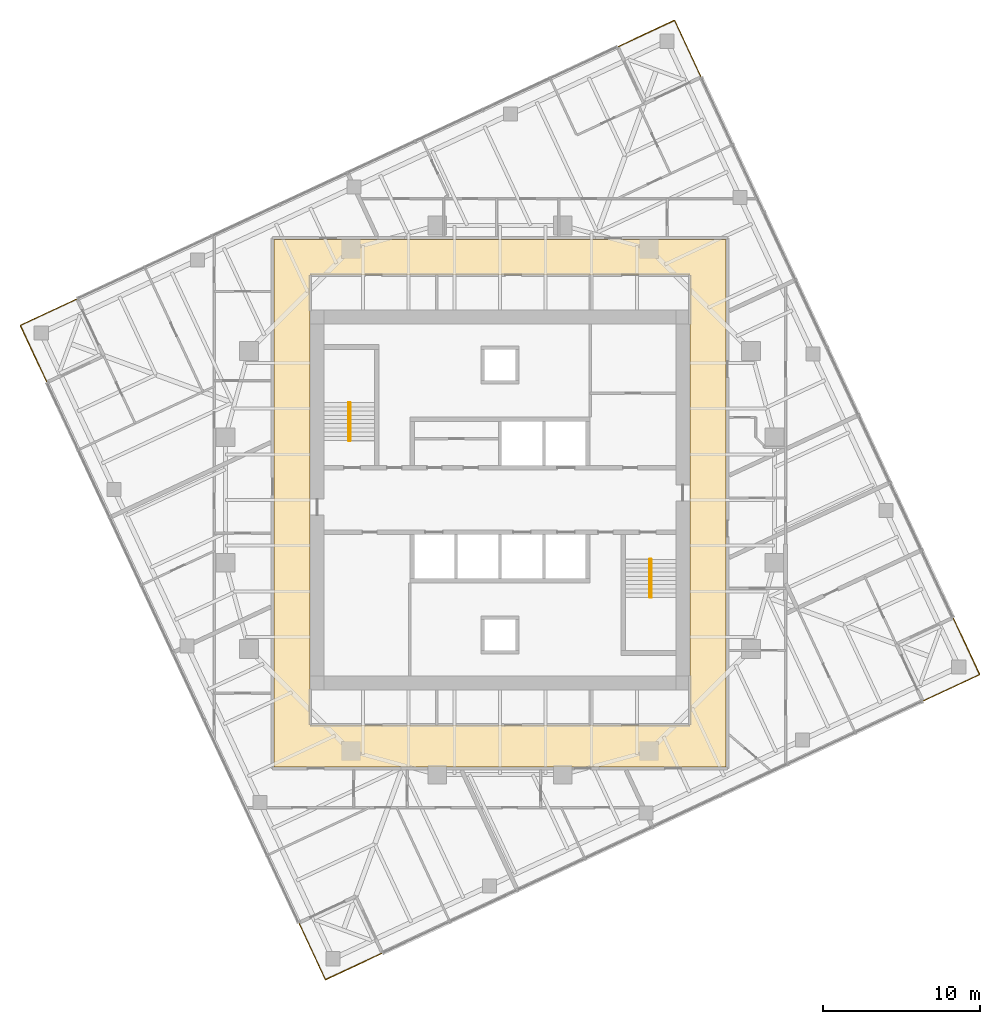
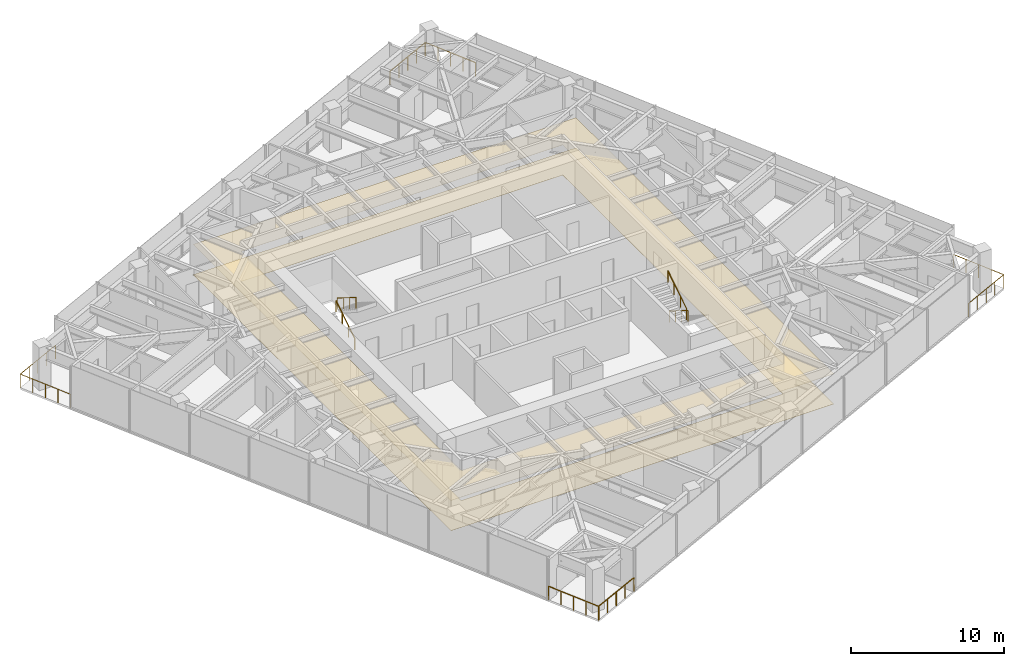
# One storey, part 13 of 13: 8 railings, 2 coverings, 2 elements without a shape of their own.
"""IFC4 building model written with IfcOpenShell, lengths in metres."""

import ifcopenshell
import ifcopenshell.guid

model = None  # the IFC model being written
_history = None  # IfcOwnerHistory: only IFC2X3 demands one
_inside = {}  # id of a spatial element -> (the spatial element, [elements in it])
_under = {}  # id of a project, library or spatial element -> (it, [spatial elements below it])
_declared = {}  # id of a project -> (the project, [libraries it declares])
_typed = {}  # id of a type object -> (the type object, [elements of that type])
_made_of = {}  # id of a material, layer set ... -> (it, [elements and type objects made of it])


def new_model(schema):
    """Start an empty IFC model of exactly this schema.

    Asked for "IFC4X3", IfcOpenShell would pick the latest addendum, in which some entities
    have other attributes; the version numbers below select the first issue.
    IFC2X3 requires an IfcOwnerHistory on every rooted entity: one is made here for all.
    """
    global model, _history
    if schema == "IFC4X3":
        model = ifcopenshell.file(schema_version=(4, 3, 0, 0))
    else:
        model = ifcopenshell.file(schema=schema)
    _inside.clear()
    _under.clear()
    _declared.clear()
    _typed.clear()
    _made_of.clear()
    _history = None
    if model.schema == "IFC2X3":
        org = make("IfcOrganization", Name="unknown")
        user = make(
            "IfcPersonAndOrganization",
            ThePerson=make("IfcPerson", FamilyName="unknown"),
            TheOrganization=org,
        )
        app = make(
            "IfcApplication",
            ApplicationDeveloper=org,
            Version="unknown",
            ApplicationFullName="unknown",
            ApplicationIdentifier="unknown",
        )
        _history = make(
            "IfcOwnerHistory",
            OwningUser=user,
            OwningApplication=app,
            ChangeAction="ADDED",
            CreationDate=0,
        )
    return model


def make(cls, **values):
    """One entity of the class cls with the attributes given. An attribute that is None is left unset."""
    return model.create_entity(
        cls, **{name: value for name, value in values.items() if value is not None}
    )


def rooted(cls, **values):
    """An entity with a GlobalId (a new one), such as an element, a storey or a relation."""
    return make(cls, GlobalId=ifcopenshell.guid.new(), OwnerHistory=_history, **values)


def si_unit(unit_type, name, prefix=None):
    """IfcSIUnit, for example si_unit("LENGTHUNIT", "METRE", prefix="MILLI")."""
    return make("IfcSIUnit", UnitType=unit_type, Prefix=prefix, Name=name)


def assignment(units):
    """IfcUnitAssignment: the units of a project."""
    return None if units is None else make("IfcUnitAssignment", Units=units)


def point(xyz):
    """IfcCartesianPoint."""
    return None if xyz is None else make("IfcCartesianPoint", Coordinates=xyz)


def direction(xyz):
    """IfcDirection."""
    return None if xyz is None else make("IfcDirection", DirectionRatios=xyz)


def frame(location, z_axis=None, x_axis=None):
    """IfcAxis2Placement3D, a coordinate frame: its origin and axes. An axis left out is left unset."""
    return make(
        "IfcAxis2Placement3D",
        Location=point(location),
        Axis=direction(z_axis),
        RefDirection=direction(x_axis),
    )


def frame_2d(location, x_axis=None):
    """IfcAxis2Placement2D, a coordinate frame in the plane: its origin and x axis."""
    return make(
        "IfcAxis2Placement2D", Location=point(location), RefDirection=direction(x_axis)
    )


def origin():
    """The frame at (0, 0, 0) with its axes left unset."""
    return frame((0.0, 0.0, 0.0))


def origin_2d():
    """The frame at (0, 0) in the plane with its x axis left unset."""
    return frame_2d((0.0, 0.0))


def place(relative_to, where):
    """IfcLocalPlacement: puts the frame where relative to a parent placement (None: the world)."""
    return make(
        "IfcLocalPlacement", PlacementRelTo=relative_to, RelativePlacement=where
    )


def context(
    kind, dimensions, precision=None, world=None, true_north=None, identifier=None
):
    """IfcGeometricRepresentationContext, for example the 3D "Model" context."""
    return make(
        "IfcGeometricRepresentationContext",
        ContextIdentifier=identifier,
        ContextType=kind,
        CoordinateSpaceDimension=dimensions,
        Precision=precision,
        WorldCoordinateSystem=world,
        TrueNorth=true_north,
    )


def subcontext(parent, identifier, kind, view, scale=None):
    """IfcGeometricRepresentationSubContext, for example "Body" below "Model"."""
    return make(
        "IfcGeometricRepresentationSubContext",
        ContextIdentifier=identifier,
        ContextType=kind,
        ParentContext=parent,
        TargetScale=scale,
        TargetView=view,
    )


def project(units=None, contexts=None):
    """IfcProject with its units and contexts."""
    return rooted(
        "IfcProject",
        Name="project",
        RepresentationContexts=contexts,
        UnitsInContext=assignment(units),
    )


def spatial(cls, under=None, at=None, **own):
    """A site, building, storey or space (cls), placed at a placement, below another one or the project."""
    s = rooted(cls, ObjectPlacement=at, **own)
    if under is not None:
        _under.setdefault(under.id(), (under, []))[1].append(s)
    return s


def polyline(points):
    """IfcPolyline through the points."""
    return make("IfcPolyline", Points=[point(p) for p in points])


def profile(cls, at=None, kind="AREA", **sizes):
    """A parametric profile (cls). Its sizes go by their IFC names, for example OverallWidth=200.0."""
    return make(cls, ProfileType=kind, Position=at, **sizes)


def circle(**sizes):
    """IfcCircleProfileDef."""
    return profile("IfcCircleProfileDef", **sizes)


def outline(outer, holes=None, kind="AREA"):
    """IfcArbitraryClosedProfileDef: a profile drawn as a closed curve; with holes, ...WithVoids."""
    if holes is None:
        return make("IfcArbitraryClosedProfileDef", ProfileType=kind, OuterCurve=outer)
    return make(
        "IfcArbitraryProfileDefWithVoids",
        ProfileType=kind,
        OuterCurve=outer,
        InnerCurves=holes,
    )


def extrude(swept, where, along, depth):
    """IfcExtrudedAreaSolid: the profile swept, set in the frame where, extruded along a direction by depth."""
    return make(
        "IfcExtrudedAreaSolid",
        SweptArea=swept,
        Position=where,
        ExtrudedDirection=direction(along),
        Depth=depth,
    )


def shape(context_of_items, identifier, shape_type, items):
    """IfcShapeRepresentation: the items that make up one representation, for example the "Body"."""
    return make(
        "IfcShapeRepresentation",
        ContextOfItems=context_of_items,
        RepresentationIdentifier=identifier,
        RepresentationType=shape_type,
        Items=items,
    )


def material(Name=None, Category=None):
    """IfcMaterial."""
    return make("IfcMaterial", Name=Name, Category=Category)


def layer(
    of_material, thickness, ventilated=None, Name=None, Category=None, Priority=None
):
    """IfcMaterialLayer: one layer of a wall or slab, of a material (None: an air gap)."""
    return make(
        "IfcMaterialLayer",
        Material=of_material,
        LayerThickness=thickness,
        IsVentilated=ventilated,
        Name=Name,
        Category=Category,
        Priority=Priority,
    )


def layer_set(layers, Name=None):
    """IfcMaterialLayerSet."""
    return make("IfcMaterialLayerSet", MaterialLayers=layers, LayerSetName=Name)


def made_of(thing, what):
    """Note that an element or type object is made of a material, layer set ...; save() writes the relation."""
    if what is not None:
        _made_of.setdefault(what.id(), (what, []))[1].append(thing)
    return thing


def type_object(cls, material=None, **own):
    """A type object (cls), such as IfcWallType, which elements share."""
    return made_of(rooted(cls, **own), material)


def element(
    cls,
    number,
    at=None,
    inside=None,
    cuts=None,
    type_object=None,
    material=None,
    context=None,
    identifier="Body",
    shape_type=None,
    held_by="IfcProductDefinitionShape",
    body=None,
    shapes=None,
    **own,
):
    """One element of the class cls, such as IfcWall. Its Tag is "e" and its number.

    at: its placement. inside: the storey or other place that contains it. cuts: it is an
    opening in that element (IfcRelVoidsElement). A single representation is given by context,
    identifier, shape_type and body (its items); several are given by shapes. held_by: the class
    of the entity that holds the representations. save() writes the other relations.
    """
    e = rooted(cls, Tag="e%d" % number, ObjectPlacement=at, **own)
    if body is not None:
        shapes = [shape(context, identifier, shape_type, body)]
    if shapes is not None:
        e.Representation = make(held_by, Representations=shapes)
    if inside is not None:
        _inside.setdefault(inside.id(), (inside, []))[1].append(e)
    if cuts is not None:
        rooted(
            "IfcRelVoidsElement", RelatingBuildingElement=cuts, RelatedOpeningElement=e
        )
    if type_object is not None:
        _typed.setdefault(type_object.id(), (type_object, []))[1].append(e)
    return made_of(e, material)


def aggregate(whole, parts):
    """IfcRelAggregates: a whole, such as a stair, and the parts it consists of."""
    return rooted("IfcRelAggregates", RelatingObject=whole, RelatedObjects=parts)


def save(model, path):
    """Write the relations noted so far, then the file.

    IfcRelAggregates (storeys below a building ...), IfcRelContainedInSpatialStructure (elements
    in a storey), IfcRelDefinesByType, IfcRelAssociatesMaterial and IfcRelDeclares: one each for
    every whole, place, type object, material and project.
    """
    for whole, parts in _under.values():
        aggregate(whole, parts)
    for where, things in _inside.values():
        rooted(
            "IfcRelContainedInSpatialStructure",
            RelatedElements=things,
            RelatingStructure=where,
        )
    for kind, things in _typed.values():
        rooted("IfcRelDefinesByType", RelatedObjects=things, RelatingType=kind)
    for what, things in _made_of.values():
        rooted("IfcRelAssociatesMaterial", RelatedObjects=things, RelatingMaterial=what)
    for by, libraries in _declared.values():
        rooted("IfcRelDeclares", RelatingContext=by, RelatedDefinitions=libraries)
    model.write(path)


model = new_model("IFC4")

# Units and contexts
model_context = context("Model", 3, precision=1e-05, world=origin(), true_north=direction((0.0, 1.0)))
body_context = subcontext(model_context, "Body", "Model", "MODEL_VIEW")
ifc_project = project(units=[si_unit("LENGTHUNIT", "METRE"), si_unit("AREAUNIT", "SQUARE_METRE"), si_unit("VOLUMEUNIT", "CUBIC_METRE"), si_unit("PLANEANGLEUNIT", "RADIAN"), si_unit("MASSUNIT", "GRAM", prefix="KILO")], contexts=[model_context])

# Site, building, storey
site_placement = place(None, origin())
site = spatial("IfcSite", under=ifc_project, at=site_placement, CompositionType="ELEMENT")
building_placement = place(site_placement, origin())
building = spatial("IfcBuilding", under=site, at=building_placement, Name="Torsade Residences", CompositionType="ELEMENT")
storey_placement = place(building_placement, frame((0.0, 0.0, 196.39990234375)))
storey = spatial("IfcBuildingStorey", under=building, at=storey_placement, Name="L54", CompositionType="ELEMENT", Elevation=196.39990234375)

# Coverings
ifc_material_1 = material(Name="Nylon carpet tile on underlay", Category="textile")
ifc_layer_1 = layer(ifc_material_1, 0.010009765625)
ifc_layer_set_1 = layer_set([ifc_layer_1], Name="Nylon carpet tile on underlay")
covering_type_1 = type_object("IfcCoveringType", Name="CORRIDOR CARPET TILE 10", PredefinedType="FLOORING", material=ifc_layer_set_1)
covering_1_placement = place(storey_placement, origin())
element("IfcCovering", 1, at=covering_1_placement, inside=storey, type_object=covering_type_1, Name="Corridor carpet L54", PredefinedType="FLOORING", context=body_context, shape_type="SweptSolid", body=[
    extrude(outline(polyline([(25.60009765625, 46.60009765625), (25.60009765625, 13.0), (54.39990234375, 13.0), (54.39990234375, 46.60009765625), (25.60009765625, 46.60009765625)]), holes=[polyline([(52.10009765625, 44.35009765625), (27.89990234375, 44.35009765625), (27.89990234375, 15.64990234375), (52.10009765625, 15.64990234375), (52.10009765625, 44.35009765625)])]), origin(), (0.0, 0.0, 1.0), 0.010009765625),
])
ifc_material_2 = material(Name="Plasterboard on suspended steel grid", Category="steel")
ifc_layer_2 = layer(ifc_material_2, 0.012939453125)
ifc_layer_set_2 = layer_set([ifc_layer_2], Name="Plasterboard on suspended steel grid")
covering_type_2 = type_object("IfcCoveringType", Name="CORRIDOR SUSPENDED CEILING 13", PredefinedType="CEILING", material=ifc_layer_set_2)
covering_2_placement = place(storey_placement, frame((0.0, 0.0, 2.400146484375)))
element("IfcCovering", 2, at=covering_2_placement, inside=storey, type_object=covering_type_2, Name="Corridor ceiling L54", PredefinedType="CEILING", context=body_context, shape_type="SweptSolid", body=[
    extrude(outline(polyline([(25.60009765625, 46.60009765625), (25.60009765625, 13.0), (54.39990234375, 13.0), (54.39990234375, 46.60009765625), (25.60009765625, 46.60009765625)]), holes=[polyline([(52.10009765625, 44.35009765625), (27.89990234375, 44.35009765625), (27.89990234375, 15.64990234375), (52.10009765625, 15.64990234375), (52.10009765625, 44.35009765625)])]), origin(), (0.0, 0.0, 1.0), 0.012939453125),
])

# Stair, railings
ifc_material_3 = material(Name="Precast concrete 40 MPa", Category="concrete")
stair_type = type_object("IfcStairType", Name="HALF-TURN FIRE STAIR 1500x3400", PredefinedType="HALF_TURN_STAIR", material=ifc_material_3)
stair_1_placement = place(storey_placement, origin())
stair_1 = element("IfcStair", 3, at=stair_1_placement, inside=storey, type_object=stair_type, Name="Stair ST1 L54", PredefinedType="HALF_TURN_STAIR")
ifc_material_4 = material(Name="Steel handrail", Category="steel")
railing_type_1 = type_object("IfcRailingType", Name="STAIR HANDRAIL 900", PredefinedType="HANDRAIL", material=ifc_material_4)
railing_1_placement = place(storey_placement, frame((30.35009765625, 33.780029296875, 0.170166015625)))
railing_1 = element("IfcRailing", 4, at=railing_1_placement, type_object=railing_type_1, Name="Handrail ST1 flight 1 L54", PredefinedType="HANDRAIL", context=body_context, shape_type="SweptSolid", body=[
    extrude(circle(Radius=0.02392578125, at=origin_2d()), frame((0.0, 0.0, 0.8759765625), z_axis=(0.0, 0.846221481393, 0.532831309544), x_axis=(-1.0, 0.0, 0.0)), (0.0, 0.0, 1.0), 2.87158203125),
    extrude(circle(Radius=0.02099609375, at=origin_2d()), origin(), (0.0, 0.0, 1.0), 0.851806640625),
    extrude(circle(Radius=0.02099609375, at=origin_2d()), frame((0.0, 0.81005859375, 0.510009765625)), (0.0, 0.0, 1.0), 0.851806640625),
    extrude(circle(Radius=0.02099609375, at=origin_2d()), frame((0.0, 1.619873046875, 1.02001953125)), (0.0, 0.0, 1.0), 0.851806640625),
    extrude(circle(Radius=0.02099609375, at=origin_2d()), frame((0.0, 2.429931640625, 1.530029296875)), (0.0, 0.0, 1.0), 0.851806640625),
])
railing_2_placement = place(storey_placement, frame((30.449951171875, 36.2099609375, 1.8701171875)))
railing_2 = element("IfcRailing", 5, at=railing_2_placement, type_object=railing_type_1, Name="Handrail ST1 flight 2 L54", PredefinedType="HANDRAIL", context=body_context, shape_type="SweptSolid", body=[
    extrude(circle(Radius=0.02392578125, at=origin_2d()), frame((0.0, 0.0, 0.8759765625), z_axis=(0.0, -0.846221481393, 0.532831309544), x_axis=(1.0, 0.0, 0.0)), (0.0, 0.0, 1.0), 2.87158203125),
    extrude(circle(Radius=0.02099609375, at=origin_2d()), origin(), (0.0, 0.0, 1.0), 0.851806640625),
    extrude(circle(Radius=0.02099609375, at=origin_2d()), frame((0.0, -0.81005859375, 0.510009765625)), (0.0, 0.0, 1.0), 0.851806640625),
    extrude(circle(Radius=0.02099609375, at=origin_2d()), frame((0.0, -1.619873046875, 1.02001953125)), (0.0, 0.0, 1.0), 0.851806640625),
    extrude(circle(Radius=0.02099609375, at=origin_2d()), frame((0.0, -2.429931640625, 1.530029296875)), (0.0, 0.0, 1.0), 0.851806640625),
])
aggregate(stair_1, [railing_1, railing_2])

stair_2_placement = place(storey_placement, origin())
stair_2 = element("IfcStair", 6, at=stair_2_placement, inside=storey, type_object=stair_type, Name="Stair ST2 L54", PredefinedType="HALF_TURN_STAIR")
railing_3_placement = place(storey_placement, frame((49.64990234375, 26.219970703125, 0.170166015625)))
railing_3 = element("IfcRailing", 7, at=railing_3_placement, type_object=railing_type_1, Name="Handrail ST2 flight 1 L54", PredefinedType="HANDRAIL", context=body_context, shape_type="SweptSolid", body=[
    extrude(circle(Radius=0.02392578125, at=origin_2d()), frame((0.0, 0.0, 0.8759765625), z_axis=(0.0, -0.846221481393, 0.532831309544), x_axis=(1.0, 0.0, 0.0)), (0.0, 0.0, 1.0), 2.87158203125),
    extrude(circle(Radius=0.02099609375, at=origin_2d()), origin(), (0.0, 0.0, 1.0), 0.851806640625),
    extrude(circle(Radius=0.02099609375, at=origin_2d()), frame((0.0, -0.81005859375, 0.510009765625)), (0.0, 0.0, 1.0), 0.851806640625),
    extrude(circle(Radius=0.02099609375, at=origin_2d()), frame((0.0, -1.619873046875, 1.02001953125)), (0.0, 0.0, 1.0), 0.851806640625),
    extrude(circle(Radius=0.02099609375, at=origin_2d()), frame((0.0, -2.429931640625, 1.530029296875)), (0.0, 0.0, 1.0), 0.851806640625),
])
railing_4_placement = place(storey_placement, frame((49.550048828125, 23.7900390625, 1.8701171875)))
railing_4 = element("IfcRailing", 8, at=railing_4_placement, type_object=railing_type_1, Name="Handrail ST2 flight 2 L54", PredefinedType="HANDRAIL", context=body_context, shape_type="SweptSolid", body=[
    extrude(circle(Radius=0.02392578125, at=origin_2d()), frame((0.0, 0.0, 0.8759765625), z_axis=(0.0, 0.846221481393, 0.532831309544), x_axis=(-1.0, 0.0, 0.0)), (0.0, 0.0, 1.0), 2.87158203125),
    extrude(circle(Radius=0.02099609375, at=origin_2d()), origin(), (0.0, 0.0, 1.0), 0.851806640625),
    extrude(circle(Radius=0.02099609375, at=origin_2d()), frame((0.0, 0.81005859375, 0.510009765625)), (0.0, 0.0, 1.0), 0.851806640625),
    extrude(circle(Radius=0.02099609375, at=origin_2d()), frame((0.0, 1.619873046875, 1.02001953125)), (0.0, 0.0, 1.0), 0.851806640625),
    extrude(circle(Radius=0.02099609375, at=origin_2d()), frame((0.0, 2.429931640625, 1.530029296875)), (0.0, 0.0, 1.0), 0.851806640625),
])
aggregate(stair_2, [railing_3, railing_4])

# Railings
ifc_material_5 = material(Name="Laminated glass balustrade", Category="glass")
railing_type_2 = type_object("IfcRailingType", Name="TERRACE GLASS BALUSTRADE 1100", PredefinedType="BALUSTRADE", material=ifc_material_5)
railing_5_placement = place(storey_placement, frame((66.940185546875, 17.1845703125, 0.0)))
element("IfcRailing", 9, at=railing_5_placement, inside=storey, type_object=railing_type_2, Name="Terrace balustrade SE L54", PredefinedType="BALUSTRADE", context=body_context, shape_type="SweptSolid", body=[
    extrude(circle(Radius=0.02392578125, at=origin_2d()), frame((0.0, 0.0, 1.076171875), z_axis=(0.906278236866, 0.422681626502, 0.0), x_axis=(-0.422681626502, 0.906278236866, 0.0)), (0.0, 0.0, 1.0), 3.999755859375),
    extrude(circle(Radius=0.02392578125, at=origin_2d()), frame((3.625, 1.690673828125, 1.076171875), z_axis=(-0.422608113797, 0.906312519031, 0.0), x_axis=(-0.906312519031, -0.422608113797, 0.0)), (0.0, 0.0, 1.0), 4.0),
    extrude(circle(Radius=0.02099609375, at=origin_2d()), origin(), (0.0, 0.0, 1.0), 1.052001953125),
    extrude(circle(Radius=0.02099609375, at=origin_2d()), frame((0.90625, 0.422607421875, 0.0)), (0.0, 0.0, 1.0), 1.052001953125),
    extrude(circle(Radius=0.02099609375, at=origin_2d()), frame((1.8125, 0.84521484375, 0.0)), (0.0, 0.0, 1.0), 1.052001953125),
    extrude(circle(Radius=0.02099609375, at=origin_2d()), frame((2.71875, 1.26806640625, 0.0)), (0.0, 0.0, 1.0), 1.052001953125),
    extrude(circle(Radius=0.02099609375, at=origin_2d()), frame((3.625, 1.690673828125, 0.0)), (0.0, 0.0, 1.0), 1.052001953125),
    extrude(circle(Radius=0.02099609375, at=origin_2d()), frame((3.202392578125, 2.596923828125, 0.0)), (0.0, 0.0, 1.0), 1.052001953125),
    extrude(circle(Radius=0.02099609375, at=origin_2d()), frame((2.77978515625, 3.50341796875, 0.0)), (0.0, 0.0, 1.0), 1.052001953125),
    extrude(circle(Radius=0.02099609375, at=origin_2d()), frame((2.357177734375, 4.40966796875, 0.0)), (0.0, 0.0, 1.0), 1.052001953125),
    extrude(circle(Radius=0.02099609375, at=origin_2d()), frame((1.9345703125, 5.31591796875, 0.0)), (0.0, 0.0, 1.0), 1.052001953125),
])
railing_6_placement = place(storey_placement, frame((52.8154296875, 56.940185546875, 0.0)))
element("IfcRailing", 10, at=railing_6_placement, inside=storey, type_object=railing_type_2, Name="Terrace balustrade NE L54", PredefinedType="BALUSTRADE", context=body_context, shape_type="SweptSolid", body=[
    extrude(circle(Radius=0.02392578125, at=origin_2d()), frame((0.0, 0.0, 1.076171875), z_axis=(-0.422681626502, 0.906278236866, 0.0), x_axis=(-0.906278236866, -0.422681626502, 0.0)), (0.0, 0.0, 1.0), 3.999755859375),
    extrude(circle(Radius=0.02392578125, at=origin_2d()), frame((-1.690673828125, 3.625, 1.076171875), z_axis=(-0.906312519031, -0.422608113797, 0.0), x_axis=(0.422608113797, -0.906312519031, 0.0)), (0.0, 0.0, 1.0), 4.0),
    extrude(circle(Radius=0.02099609375, at=origin_2d()), origin(), (0.0, 0.0, 1.0), 1.052001953125),
    extrude(circle(Radius=0.02099609375, at=origin_2d()), frame((-0.422607421875, 0.90625, 0.0)), (0.0, 0.0, 1.0), 1.052001953125),
    extrude(circle(Radius=0.02099609375, at=origin_2d()), frame((-0.84521484375, 1.8125, 0.0)), (0.0, 0.0, 1.0), 1.052001953125),
    extrude(circle(Radius=0.02099609375, at=origin_2d()), frame((-1.26806640625, 2.71875, 0.0)), (0.0, 0.0, 1.0), 1.052001953125),
    extrude(circle(Radius=0.02099609375, at=origin_2d()), frame((-1.690673828125, 3.625, 0.0)), (0.0, 0.0, 1.0), 1.052001953125),
    extrude(circle(Radius=0.02099609375, at=origin_2d()), frame((-2.596923828125, 3.202392578125, 0.0)), (0.0, 0.0, 1.0), 1.052001953125),
    extrude(circle(Radius=0.02099609375, at=origin_2d()), frame((-3.50341796875, 2.77978515625, 0.0)), (0.0, 0.0, 1.0), 1.052001953125),
    extrude(circle(Radius=0.02099609375, at=origin_2d()), frame((-4.40966796875, 2.357177734375, 0.0)), (0.0, 0.0, 1.0), 1.052001953125),
    extrude(circle(Radius=0.02099609375, at=origin_2d()), frame((-5.31591796875, 1.9345703125, 0.0)), (0.0, 0.0, 1.0), 1.052001953125),
])
railing_7_placement = place(storey_placement, frame((13.059814453125, 42.8154296875, 0.0)))
element("IfcRailing", 11, at=railing_7_placement, inside=storey, type_object=railing_type_2, Name="Terrace balustrade NW L54", PredefinedType="BALUSTRADE", context=body_context, shape_type="SweptSolid", body=[
    extrude(circle(Radius=0.02392578125, at=origin_2d()), frame((0.0, 0.0, 1.076171875), z_axis=(-0.906278236866, -0.422681626502, 0.0), x_axis=(0.422681626502, -0.906278236866, 0.0)), (0.0, 0.0, 1.0), 3.999755859375),
    extrude(circle(Radius=0.02392578125, at=origin_2d()), frame((-3.625, -1.690673828125, 1.076171875), z_axis=(0.422608113797, -0.906312519031, 0.0), x_axis=(0.906312519031, 0.422608113797, 0.0)), (0.0, 0.0, 1.0), 4.0),
    extrude(circle(Radius=0.02099609375, at=origin_2d()), origin(), (0.0, 0.0, 1.0), 1.052001953125),
    extrude(circle(Radius=0.02099609375, at=origin_2d()), frame((-0.90625, -0.422607421875, 0.0)), (0.0, 0.0, 1.0), 1.052001953125),
    extrude(circle(Radius=0.02099609375, at=origin_2d()), frame((-1.8125, -0.84521484375, 0.0)), (0.0, 0.0, 1.0), 1.052001953125),
    extrude(circle(Radius=0.02099609375, at=origin_2d()), frame((-2.71875, -1.26806640625, 0.0)), (0.0, 0.0, 1.0), 1.052001953125),
    extrude(circle(Radius=0.02099609375, at=origin_2d()), frame((-3.625, -1.690673828125, 0.0)), (0.0, 0.0, 1.0), 1.052001953125),
    extrude(circle(Radius=0.02099609375, at=origin_2d()), frame((-3.202392578125, -2.596923828125, 0.0)), (0.0, 0.0, 1.0), 1.052001953125),
    extrude(circle(Radius=0.02099609375, at=origin_2d()), frame((-2.77978515625, -3.50341796875, 0.0)), (0.0, 0.0, 1.0), 1.052001953125),
    extrude(circle(Radius=0.02099609375, at=origin_2d()), frame((-2.357177734375, -4.40966796875, 0.0)), (0.0, 0.0, 1.0), 1.052001953125),
    extrude(circle(Radius=0.02099609375, at=origin_2d()), frame((-1.9345703125, -5.31591796875, 0.0)), (0.0, 0.0, 1.0), 1.052001953125),
])
railing_8_placement = place(storey_placement, frame((27.1845703125, 3.059814453125, 0.0)))
element("IfcRailing", 12, at=railing_8_placement, inside=storey, type_object=railing_type_2, Name="Terrace balustrade SW L54", PredefinedType="BALUSTRADE", context=body_context, shape_type="SweptSolid", body=[
    extrude(circle(Radius=0.02392578125, at=origin_2d()), frame((0.0, 0.0, 1.076171875), z_axis=(0.422681626502, -0.906278236866, 0.0), x_axis=(0.906278236866, 0.422681626502, 0.0)), (0.0, 0.0, 1.0), 3.999755859375),
    extrude(circle(Radius=0.02392578125, at=origin_2d()), frame((1.690673828125, -3.625, 1.076171875), z_axis=(0.906312519031, 0.422608113797, 0.0), x_axis=(-0.422608113797, 0.906312519031, 0.0)), (0.0, 0.0, 1.0), 4.0),
    extrude(circle(Radius=0.02099609375, at=origin_2d()), origin(), (0.0, 0.0, 1.0), 1.052001953125),
    extrude(circle(Radius=0.02099609375, at=origin_2d()), frame((0.422607421875, -0.90625, 0.0)), (0.0, 0.0, 1.0), 1.052001953125),
    extrude(circle(Radius=0.02099609375, at=origin_2d()), frame((0.84521484375, -1.8125, 0.0)), (0.0, 0.0, 1.0), 1.052001953125),
    extrude(circle(Radius=0.02099609375, at=origin_2d()), frame((1.26806640625, -2.71875, 0.0)), (0.0, 0.0, 1.0), 1.052001953125),
    extrude(circle(Radius=0.02099609375, at=origin_2d()), frame((1.690673828125, -3.625, 0.0)), (0.0, 0.0, 1.0), 1.052001953125),
    extrude(circle(Radius=0.02099609375, at=origin_2d()), frame((2.596923828125, -3.202392578125, 0.0)), (0.0, 0.0, 1.0), 1.052001953125),
    extrude(circle(Radius=0.02099609375, at=origin_2d()), frame((3.50341796875, -2.77978515625, 0.0)), (0.0, 0.0, 1.0), 1.052001953125),
    extrude(circle(Radius=0.02099609375, at=origin_2d()), frame((4.40966796875, -2.357177734375, 0.0)), (0.0, 0.0, 1.0), 1.052001953125),
    extrude(circle(Radius=0.02099609375, at=origin_2d()), frame((5.31591796875, -1.9345703125, 0.0)), (0.0, 0.0, 1.0), 1.052001953125),
])

save(model, "model.ifc")
